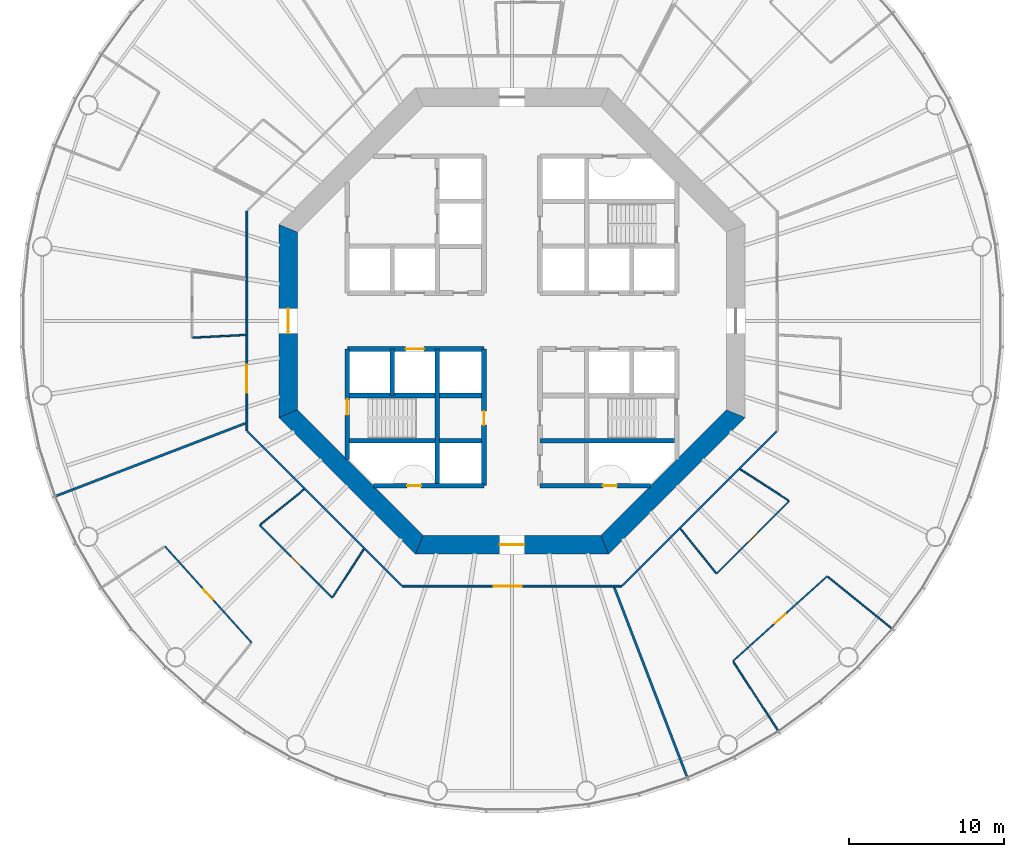
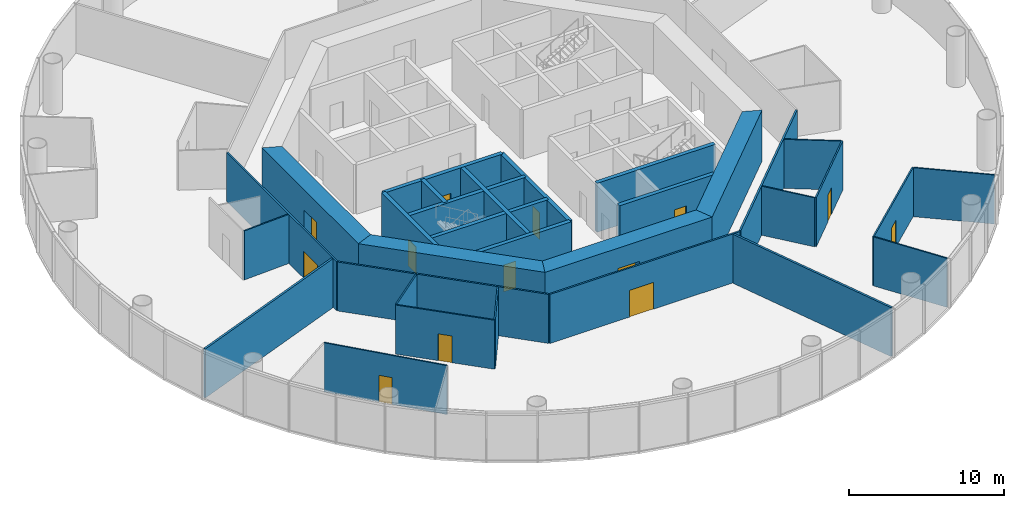
# One storey, part 3 of 13: 31 walls, 13 doors, 13 openings.
"""IFC4 building model written with IfcOpenShell, lengths in metres."""

from ifc_helpers import new_model, si_unit, direction, frame, frame_2d, origin, place, context, subcontext, project, spatial, polyline, rectangle, outline, extrude, material, layer, layer_set, type_object, element, fill, save


model = new_model("IFC4")

# Units and contexts
model_context = context("Model", 3, precision=1e-05, world=origin(), true_north=direction((0.0, 1.0)))
body_context = subcontext(model_context, "Body", "Model", "MODEL_VIEW")
ifc_project = project(units=[si_unit("LENGTHUNIT", "METRE"), si_unit("AREAUNIT", "SQUARE_METRE"), si_unit("VOLUMEUNIT", "CUBIC_METRE"), si_unit("PLANEANGLEUNIT", "RADIAN"), si_unit("MASSUNIT", "GRAM", prefix="KILO")], contexts=[model_context])

# Site, building, storey
site_placement = place(None, origin())
site = spatial("IfcSite", under=ifc_project, at=site_placement, CompositionType="ELEMENT")
building_placement = place(site_placement, origin())
building = spatial("IfcBuilding", under=site, at=building_placement, Name="Entoto Ring Tower", CompositionType="ELEMENT")
storey_placement = place(building_placement, frame((0.0, 0.0, 108.0)))
storey = spatial("IfcBuildingStorey", under=building, at=storey_placement, Name="L24", CompositionType="ELEMENT", Elevation=108.0)

# Wall, opening, door
ifc_material_1 = material(Name="Concrete C40/50", Category="concrete")
ifc_layer_1 = layer(ifc_material_1, 0.300048828125)
ifc_layer_set_1 = layer_set([ifc_layer_1], Name="Concrete C40/50")
wall_type_1 = type_object("IfcWallType", Name="Core enclosure wall 300 mm reinforced concrete", PredefinedType="SOLIDWALL", material=ifc_layer_set_1)
wall_1_placement = place(storey_placement, frame((88.199951171875, 69.39990234375, 0.0), z_axis=(0.0, 0.0, 1.0), x_axis=(0.0, 1.0, 0.0)))
wall_1 = element("IfcWall", 1, at=wall_1_placement, inside=storey, type_object=wall_type_1, Name="wall-L24-009", PredefinedType="SOLIDWALL", context=body_context, shape_type="SweptSolid", body=[
    extrude(rectangle(XDim=8.800048828125, YDim=0.300048828125, at=frame_2d((4.39990234375, 0.0))), origin(), (0.0, 0.0, 1.0), 3.85009765625),
])
opening_1_placement = place(wall_1_placement, frame((3.89990234375, 0.0, 0.0)))
opening_1 = element("IfcOpeningElement", 2, at=opening_1_placement, cuts=wall_1, Name="Opening K-14", PredefinedType="OPENING", context=body_context, shape_type="SweptSolid", body=[
    extrude(rectangle(XDim=0.89990234375, YDim=2.10009765625, at=frame_2d((0.449951171875, 1.050048828125))), frame((0.0, 0.16015625, 0.0), z_axis=(0.0, -1.0, 0.0), x_axis=(1.0, 0.0, 0.0)), (0.0, 0.0, 1.0), 0.320068359375),
])
ifc_material_2 = material(Name="Steel door leaf, fire rated", Category="steel")
ifc_layer_2 = layer(ifc_material_2, 0.050048828125)
ifc_layer_set_2 = layer_set([ifc_layer_2], Name="Steel door leaf, fire rated")
door_type_1 = type_object("IfcDoorType", Name="Core door 900 x 2100 single leaf", OperationType="NOTDEFINED", PredefinedType="DOOR", material=ifc_layer_set_2)
door_1_placement = place(opening_1_placement, origin())
door_1 = element("IfcDoor", 3, at=door_1_placement, inside=storey, type_object=door_type_1, Name="Door K-14", OperationType="SINGLE_SWING_RIGHT", OverallHeight=2.10009765625, OverallWidth=0.89990234375, PredefinedType="DOOR", context=body_context, shape_type="SweptSolid", body=[
    extrude(rectangle(XDim=0.89990234375, YDim=2.10009765625, at=frame_2d((0.449951171875, 1.050048828125))), frame((0.0, 0.02490234375, 0.0), z_axis=(0.0, -1.0, 0.0), x_axis=(1.0, 0.0, 0.0)), (0.0, 0.0, 1.0), 0.050048828125),
])
fill(opening_1, door_1)

# Walls
wall_2_placement = place(storey_placement, frame((85.199951171875, 69.39990234375, 0.0), z_axis=(0.0, 0.0, 1.0), x_axis=(0.0, 1.0, 0.0)))
element("IfcWall", 4, at=wall_2_placement, inside=storey, type_object=wall_type_1, Name="wall-L24-011", PredefinedType="SOLIDWALL", context=body_context, shape_type="SweptSolid", body=[
    extrude(rectangle(XDim=8.800048828125, YDim=0.300048828125, at=frame_2d((4.39990234375, 0.0))), origin(), (0.0, 0.0, 1.0), 3.85009765625),
])
wall_3_placement = place(storey_placement, frame((82.300048828125, 75.199951171875, 0.0), z_axis=(0.0, 0.0, 1.0), x_axis=(0.0, 1.0, 0.0)))
element("IfcWall", 5, at=wall_3_placement, inside=storey, type_object=wall_type_1, Name="wall-L24-013", PredefinedType="SOLIDWALL", context=body_context, shape_type="SweptSolid", body=[
    extrude(rectangle(XDim=3.0, YDim=0.300048828125, at=frame_2d((1.5, 0.0))), origin(), (0.0, 0.0, 1.0), 3.85009765625),
])

# Wall, opening, door
wall_4_placement = place(storey_placement, frame((79.39990234375, 71.083984375, 0.0), z_axis=(0.0, 0.0, 1.0), x_axis=(0.0, 1.0, 0.0)))
wall_4 = element("IfcWall", 6, at=wall_4_placement, inside=storey, type_object=wall_type_1, Name="wall-L24-015", PredefinedType="SOLIDWALL", context=body_context, shape_type="SweptSolid", body=[
    extrude(rectangle(XDim=7.115966796875, YDim=0.300048828125, at=frame_2d((3.55810546875, 0.0))), origin(), (0.0, 0.0, 1.0), 3.85009765625),
])
opening_2_placement = place(wall_4_placement, frame((2.8662109375, 0.0, 0.0)))
opening_2 = element("IfcOpeningElement", 7, at=opening_2_placement, cuts=wall_4, Name="Opening K-59", PredefinedType="OPENING", context=body_context, shape_type="SweptSolid", body=[
    extrude(rectangle(XDim=1.0, YDim=2.10009765625, at=frame_2d((0.5, 1.050048828125))), frame((0.0, 0.16015625, 0.0), z_axis=(0.0, -1.0, 0.0), x_axis=(1.0, 0.0, 0.0)), (0.0, 0.0, 1.0), 0.320068359375),
])
ifc_material_3 = material(Name="Steel door leaf, fire rated", Category="steel")
ifc_layer_3 = layer(ifc_material_3, 0.050048828125)
ifc_layer_set_3 = layer_set([ifc_layer_3], Name="Steel door leaf, fire rated")
door_type_2 = type_object("IfcDoorType", Name="Fire door FD60 1000 x 2100 single leaf", OperationType="NOTDEFINED", PredefinedType="DOOR", material=ifc_layer_set_3)
door_2_placement = place(opening_2_placement, frame((1.0, 0.0, 0.0), z_axis=(0.0, 0.0, 1.0), x_axis=(-1.0, 0.0, 0.0)))
door_2 = element("IfcDoor", 8, at=door_2_placement, inside=storey, type_object=door_type_2, Name="Door K-59", OperationType="SINGLE_SWING_LEFT", OverallHeight=2.10009765625, OverallWidth=1.0, PredefinedType="DOOR", context=body_context, shape_type="SweptSolid", body=[
    extrude(rectangle(XDim=1.0, YDim=2.10009765625, at=frame_2d((0.5, 1.050048828125))), frame((0.0, 0.02490234375, 0.0), z_axis=(0.0, -1.0, 0.0), x_axis=(1.0, 0.0, 0.0)), (0.0, 0.0, 1.0), 0.050048828125),
])
fill(opening_2, door_2)

wall_5_placement = place(storey_placement, frame((81.083984375, 69.39990234375, 0.0), z_axis=(0.0, 0.0, 1.0), x_axis=(1.0, 0.0, 0.0)))
wall_5 = element("IfcWall", 9, at=wall_5_placement, inside=storey, type_object=wall_type_1, Name="wall-L24-017", PredefinedType="SOLIDWALL", context=body_context, shape_type="SweptSolid", body=[
    extrude(rectangle(XDim=7.115966796875, YDim=0.300048828125, at=frame_2d((3.55810546875, 0.0))), origin(), (0.0, 0.0, 1.0), 3.85009765625),
])
opening_3_placement = place(wall_5_placement, frame((2.166015625, 0.0, 0.0)))
opening_3 = element("IfcOpeningElement", 10, at=opening_3_placement, cuts=wall_5, Name="Opening K-66", PredefinedType="OPENING", context=body_context, shape_type="SweptSolid", body=[
    extrude(rectangle(XDim=0.89990234375, YDim=2.10009765625, at=frame_2d((0.449951171875, 1.050048828125))), frame((0.0, 0.16015625, 0.0), z_axis=(0.0, -1.0, 0.0), x_axis=(1.0, 0.0, 0.0)), (0.0, 0.0, 1.0), 0.320068359375),
])
ifc_material_4 = material(Name="Steel door leaf, fire rated", Category="steel")
ifc_layer_4 = layer(ifc_material_4, 0.050048828125)
ifc_layer_set_4 = layer_set([ifc_layer_4], Name="Steel door leaf, fire rated")
door_type_3 = type_object("IfcDoorType", Name="Riser door FD60 900 x 2100 single leaf", OperationType="NOTDEFINED", PredefinedType="DOOR", material=ifc_layer_set_4)
door_3_placement = place(opening_3_placement, origin())
door_3 = element("IfcDoor", 11, at=door_3_placement, inside=storey, type_object=door_type_3, Name="Door K-66", OperationType="SINGLE_SWING_RIGHT", OverallHeight=2.10009765625, OverallWidth=0.89990234375, PredefinedType="DOOR", context=body_context, shape_type="SweptSolid", body=[
    extrude(rectangle(XDim=0.89990234375, YDim=2.10009765625, at=frame_2d((0.449951171875, 1.050048828125))), frame((0.0, 0.02490234375, 0.0), z_axis=(0.0, -1.0, 0.0), x_axis=(1.0, 0.0, 0.0)), (0.0, 0.0, 1.0), 0.050048828125),
])
fill(opening_3, door_3)

wall_6_placement = place(storey_placement, frame((91.800048828125, 69.39990234375, 0.0), z_axis=(0.0, 0.0, 1.0), x_axis=(1.0, 0.0, 0.0)))
wall_6 = element("IfcWall", 12, at=wall_6_placement, inside=storey, type_object=wall_type_1, Name="wall-L24-018", PredefinedType="SOLIDWALL", context=body_context, shape_type="SweptSolid", body=[
    extrude(rectangle(XDim=7.115966796875, YDim=0.300048828125, at=frame_2d((3.55810546875, 0.0))), origin(), (0.0, 0.0, 1.0), 3.85009765625),
])
opening_4_placement = place(wall_6_placement, frame((4.050048828125, 0.0, 0.0)))
opening_4 = element("IfcOpeningElement", 13, at=opening_4_placement, cuts=wall_6, Name="Opening K-68", PredefinedType="OPENING", context=body_context, shape_type="SweptSolid", body=[
    extrude(rectangle(XDim=0.89990234375, YDim=2.10009765625, at=frame_2d((0.449951171875, 1.050048828125))), frame((0.0, 0.16015625, 0.0), z_axis=(0.0, -1.0, 0.0), x_axis=(1.0, 0.0, 0.0)), (0.0, 0.0, 1.0), 0.320068359375),
])
door_4_placement = place(opening_4_placement, origin())
door_4 = element("IfcDoor", 14, at=door_4_placement, inside=storey, type_object=door_type_3, Name="Door K-68", OperationType="SINGLE_SWING_LEFT", OverallHeight=2.10009765625, OverallWidth=0.89990234375, PredefinedType="DOOR", context=body_context, shape_type="SweptSolid", body=[
    extrude(rectangle(XDim=0.89990234375, YDim=2.10009765625, at=frame_2d((0.449951171875, 1.050048828125))), frame((0.0, 0.02490234375, 0.0), z_axis=(0.0, -1.0, 0.0), x_axis=(1.0, 0.0, 0.0)), (0.0, 0.0, 1.0), 0.050048828125),
])
fill(opening_4, door_4)

# Walls
for number, where, z_axis, x_axis, name in (
    (15, (79.39990234375, 72.300048828125, 0.0), (0.0, 0.0, 1.0), (1.0, 0.0, 0.0), "wall-L24-019"),
    (16, (91.800048828125, 72.300048828125, 0.0), (0.0, 0.0, 1.0), (1.0, 0.0, 0.0), "wall-L24-020"),
    (17, (79.39990234375, 75.199951171875, 0.0), (0.0, 0.0, 1.0), (1.0, 0.0, 0.0), "wall-L24-021"),
):
    element("IfcWall", number, at=place(storey_placement, frame(where, z_axis=z_axis, x_axis=x_axis)), inside=storey, type_object=wall_type_1, Name=name, PredefinedType="SOLIDWALL", context=body_context, shape_type="SweptSolid", body=[
        extrude(rectangle(XDim=8.800048828125, YDim=0.300048828125, at=frame_2d((4.39990234375, 0.0))), origin(), (0.0, 0.0, 1.0), 3.85009765625),
    ])

# Wall, opening, door
wall_7_placement = place(storey_placement, frame((79.39990234375, 78.199951171875, 0.0), z_axis=(0.0, 0.0, 1.0), x_axis=(1.0, 0.0, 0.0)))
wall_7 = element("IfcWall", 18, at=wall_7_placement, inside=storey, type_object=wall_type_1, Name="wall-L24-023", PredefinedType="SOLIDWALL", context=body_context, shape_type="SweptSolid", body=[
    extrude(rectangle(XDim=8.800048828125, YDim=0.300048828125, at=frame_2d((4.39990234375, 0.0))), origin(), (0.0, 0.0, 1.0), 3.85009765625),
])
opening_5_placement = place(wall_7_placement, frame((3.75, 0.0, 0.0)))
opening_5 = element("IfcOpeningElement", 19, at=opening_5_placement, cuts=wall_7, Name="Opening LD", PredefinedType="OPENING", context=body_context, shape_type="SweptSolid", body=[
    extrude(rectangle(XDim=1.199951171875, YDim=2.10009765625, at=frame_2d((0.60009765625, 1.050048828125))), frame((0.0, 0.16015625, 0.0), z_axis=(0.0, -1.0, 0.0), x_axis=(1.0, 0.0, 0.0)), (0.0, 0.0, 1.0), 0.320068359375),
])
ifc_material_5 = material(Name="Steel and glass door leaf", Category="steel")
ifc_layer_5 = layer(ifc_material_5, 0.050048828125)
ifc_layer_set_5 = layer_set([ifc_layer_5], Name="Steel and glass door leaf")
door_type_4 = type_object("IfcDoorType", Name="Landing door 1200 x 2100 sliding", OperationType="DOUBLE_DOOR_SLIDING", PredefinedType="DOOR", material=ifc_layer_set_5)
door_5_placement = place(opening_5_placement, origin())
door_5 = element("IfcDoor", 20, at=door_5_placement, inside=storey, type_object=door_type_4, Name="Landing door LB6-LR", OperationType="SLIDING_TO_RIGHT", OverallHeight=2.10009765625, OverallWidth=1.199951171875, PredefinedType="DOOR", context=body_context, shape_type="SweptSolid", body=[
    extrude(rectangle(XDim=1.199951171875, YDim=2.10009765625, at=frame_2d((0.60009765625, 1.050048828125))), frame((0.0, 0.02490234375, 0.0), z_axis=(0.0, -1.0, 0.0), x_axis=(1.0, 0.0, 0.0)), (0.0, 0.0, 1.0), 0.050048828125),
])
fill(opening_5, door_5)

ifc_material_6 = material(Name="Concrete C60/75", Category="concrete")
ifc_layer_6 = layer(ifc_material_6, 1.199951171875)
ifc_layer_set_6 = layer_set([ifc_layer_6], Name="Concrete C60/75")
wall_type_2 = type_object("IfcWallType", Name="Core shear wall 1200 mm reinforced concrete C60/75", PredefinedType="SHEAR", material=ifc_layer_set_6)
wall_8_placement = place(storey_placement, frame((75.60009765625, 85.964599609375, 0.0), z_axis=(0.0, 0.0, 1.0), x_axis=(0.0, -1.0, 0.0)))
wall_8 = element("IfcWall", 21, at=wall_8_placement, inside=storey, type_object=wall_type_2, Name="wall-L24-core-4", PredefinedType="SHEAR", context=body_context, shape_type="SweptSolid", body=[
    extrude(outline(polyline([(-0.24853515625, -0.60009765625), (12.177734375, -0.60009765625), (11.6806640625, 0.60009765625), (0.24853515625, 0.60009765625), (-0.24853515625, -0.60009765625)])), origin(), (0.0, 0.0, 1.0), 4.0),
])
opening_6_placement = place(wall_8_placement, frame((5.164794921875, 0.0, 0.0)))
opening_6 = element("IfcOpeningElement", 22, at=opening_6_placement, cuts=wall_8, Name="Opening K-03", PredefinedType="OPENING", context=body_context, shape_type="SweptSolid", body=[
    extrude(rectangle(XDim=1.60009765625, YDim=2.39990234375, at=frame_2d((0.800048828125, 1.199951171875))), frame((0.0, 0.60986328125, 0.0), z_axis=(0.0, -1.0, 0.0), x_axis=(1.0, 0.0, 0.0)), (0.0, 0.0, 1.0), 1.219970703125),
])
ifc_material_7 = material(Name="Steel door leaf, fire rated", Category="steel")
ifc_layer_7 = layer(ifc_material_7, 0.050048828125)
ifc_layer_set_7 = layer_set([ifc_layer_7], Name="Steel door leaf, fire rated")
door_type_5 = type_object("IfcDoorType", Name="Entrance door FD60 1600 x 2400 double leaf", OperationType="DOUBLE_DOOR_SINGLE_SWING", PredefinedType="DOOR", material=ifc_layer_set_7)
door_6_placement = place(opening_6_placement, origin())
door_6 = element("IfcDoor", 23, at=door_6_placement, inside=storey, type_object=door_type_5, Name="Entrance door K-03", OperationType="DOUBLE_DOOR_SINGLE_SWING", OverallHeight=2.39990234375, OverallWidth=1.60009765625, PredefinedType="DOOR", context=body_context, shape_type="SweptSolid", body=[
    extrude(rectangle(XDim=1.60009765625, YDim=2.39990234375, at=frame_2d((0.800048828125, 1.199951171875))), frame((0.0, 0.02490234375, 0.0), z_axis=(0.0, -1.0, 0.0), x_axis=(1.0, 0.0, 0.0)), (0.0, 0.0, 1.0), 0.050048828125),
])
fill(opening_6, door_6)

# Wall
wall_9_placement = place(storey_placement, frame((75.60009765625, 74.035400390625, 0.0), z_axis=(0.0, 0.0, 1.0), x_axis=(0.707106781187, -0.707106781187, 0.0)))
element("IfcWall", 24, at=wall_9_placement, inside=storey, type_object=wall_type_2, Name="wall-L24-core-5", PredefinedType="SHEAR", context=body_context, shape_type="SweptSolid", body=[
    extrude(outline(polyline([(-0.24853515625, -0.60009765625), (12.177734375, -0.60009765625), (11.6806640625, 0.60009765625), (0.24853515625, 0.60009765625), (-0.24853515625, -0.60009765625)])), origin(), (0.0, 0.0, 1.0), 4.0),
])

# Wall, opening, door
wall_10_placement = place(storey_placement, frame((84.035400390625, 65.60009765625, 0.0), z_axis=(0.0, 0.0, 1.0), x_axis=(1.0, 0.0, 0.0)))
wall_10 = element("IfcWall", 25, at=wall_10_placement, inside=storey, type_object=wall_type_2, Name="wall-L24-core-6", PredefinedType="SHEAR", context=body_context, shape_type="SweptSolid", body=[
    extrude(outline(polyline([(-0.24853515625, -0.60009765625), (12.177734375, -0.60009765625), (11.6806640625, 0.60009765625), (0.24853515625, 0.60009765625), (-0.24853515625, -0.60009765625)])), origin(), (0.0, 0.0, 1.0), 4.0),
])
opening_7_placement = place(wall_10_placement, frame((5.164794921875, 0.0, 0.0)))
opening_7 = element("IfcOpeningElement", 26, at=opening_7_placement, cuts=wall_10, Name="Opening K-04", PredefinedType="OPENING", context=body_context, shape_type="SweptSolid", body=[
    extrude(rectangle(XDim=1.60009765625, YDim=2.39990234375, at=frame_2d((0.800048828125, 1.199951171875))), frame((0.0, 0.60986328125, 0.0), z_axis=(0.0, -1.0, 0.0), x_axis=(1.0, 0.0, 0.0)), (0.0, 0.0, 1.0), 1.219970703125),
])
door_7_placement = place(opening_7_placement, origin())
door_7 = element("IfcDoor", 27, at=door_7_placement, inside=storey, type_object=door_type_5, Name="Entrance door K-04", OperationType="DOUBLE_DOOR_SINGLE_SWING", OverallHeight=2.39990234375, OverallWidth=1.60009765625, PredefinedType="DOOR", context=body_context, shape_type="SweptSolid", body=[
    extrude(rectangle(XDim=1.60009765625, YDim=2.39990234375, at=frame_2d((0.800048828125, 1.199951171875))), frame((0.0, 0.02490234375, 0.0), z_axis=(0.0, -1.0, 0.0), x_axis=(1.0, 0.0, 0.0)), (0.0, 0.0, 1.0), 0.050048828125),
])
fill(opening_7, door_7)

# Wall
wall_11_placement = place(storey_placement, frame((95.964599609375, 65.60009765625, 0.0), z_axis=(0.0, 0.0, 1.0), x_axis=(0.707106781187, 0.707106781187, 0.0)))
element("IfcWall", 28, at=wall_11_placement, inside=storey, type_object=wall_type_2, Name="wall-L24-core-7", PredefinedType="SHEAR", context=body_context, shape_type="SweptSolid", body=[
    extrude(outline(polyline([(-0.24853515625, -0.60009765625), (12.177734375, -0.60009765625), (11.6806640625, 0.60009765625), (0.24853515625, 0.60009765625), (-0.24853515625, -0.60009765625)])), origin(), (0.0, 0.0, 1.0), 4.0),
])

# Wall, opening, door
ifc_material_8 = material(Name="Fire-resisting plasterboard on steel studs", Category="steel")
ifc_layer_8 = layer(ifc_material_8, 0.125)
ifc_layer_set_8 = layer_set([ifc_layer_8], Name="Fire-resisting plasterboard on steel studs")
wall_type_3 = type_object("IfcWallType", Name="Corridor wall 125 mm one-hour plasterboard on steel studs", PredefinedType="PARTITIONING", material=ifc_layer_set_8)
wall_12_placement = place(storey_placement, frame((72.9375, 72.9326171875, 0.0), z_axis=(0.0, 0.0, 1.0), x_axis=(0.0, 1.0, 0.0)))
wall_12 = element("IfcWall", 29, at=wall_12_placement, inside=storey, type_object=wall_type_3, Name="partition-L24-001", PredefinedType="PARTITIONING", context=body_context, shape_type="SweptSolid", body=[
    extrude(rectangle(XDim=14.134765625, YDim=0.125, at=frame_2d((7.0673828125, 0.0))), origin(), (0.0, 0.0, 1.0), 3.85009765625),
])
opening_8_placement = place(wall_12_placement, frame((2.445556640625, 0.0, 0.0)))
opening_8 = element("IfcOpeningElement", 30, at=opening_8_placement, cuts=wall_12, Name="Opening A10-D05", PredefinedType="OPENING", context=body_context, shape_type="SweptSolid", body=[
    extrude(rectangle(XDim=1.800048828125, YDim=2.10009765625, at=frame_2d((0.89990234375, 1.050048828125))), frame((0.0, 0.072509765625, 0.0), z_axis=(0.0, -1.0, 0.0), x_axis=(1.0, 0.0, 0.0)), (0.0, 0.0, 1.0), 0.14501953125),
])
ifc_material_9 = material(Name="Fire-resisting timber door set", Category="wood")
door_type_6 = type_object("IfcDoorType", Name="Door 1800 x 2100 double leaf FD30S fire door", OperationType="DOUBLE_DOOR_SINGLE_SWING", PredefinedType="DOOR", material=ifc_material_9)
door_8_placement = place(opening_8_placement, origin())
door_8 = element("IfcDoor", 31, at=door_8_placement, inside=storey, type_object=door_type_6, Name="Door A10-D05", OperationType="DOUBLE_DOOR_SINGLE_SWING", OverallHeight=2.10009765625, OverallWidth=1.800048828125, PredefinedType="DOOR", context=body_context, shape_type="SweptSolid", body=[
    extrude(rectangle(XDim=1.800048828125, YDim=2.10009765625, at=frame_2d((0.89990234375, 1.050048828125))), frame((0.0, 0.02490234375, 0.0), z_axis=(0.0, -1.0, 0.0), x_axis=(1.0, 0.0, 0.0)), (0.0, 0.0, 1.0), 0.050048828125),
])
fill(opening_8, door_8)

wall_13_placement = place(storey_placement, frame((82.9326171875, 62.9375, 0.0), z_axis=(0.0, 0.0, 1.0), x_axis=(1.0, 0.0, 0.0)))
wall_13 = element("IfcWall", 32, at=wall_13_placement, inside=storey, type_object=wall_type_3, Name="partition-L24-002", PredefinedType="PARTITIONING", context=body_context, shape_type="SweptSolid", body=[
    extrude(rectangle(XDim=14.134765625, YDim=0.125, at=frame_2d((7.0673828125, 0.0))), origin(), (0.0, 0.0, 1.0), 3.85009765625),
])
opening_9_placement = place(wall_13_placement, frame((5.90869140625, 0.0, 0.0)))
opening_9 = element("IfcOpeningElement", 33, at=opening_9_placement, cuts=wall_13, Name="Opening A10-D09", PredefinedType="OPENING", context=body_context, shape_type="SweptSolid", body=[
    extrude(rectangle(XDim=1.800048828125, YDim=2.10009765625, at=frame_2d((0.89990234375, 1.050048828125))), frame((0.0, 0.072509765625, 0.0), z_axis=(0.0, -1.0, 0.0), x_axis=(1.0, 0.0, 0.0)), (0.0, 0.0, 1.0), 0.14501953125),
])
door_9_placement = place(opening_9_placement, frame((1.800048828125, 0.0, 0.0), z_axis=(0.0, 0.0, 1.0), x_axis=(-1.0, 0.0, 0.0)))
door_9 = element("IfcDoor", 34, at=door_9_placement, inside=storey, type_object=door_type_6, Name="Door A10-D09", OperationType="DOUBLE_DOOR_SINGLE_SWING", OverallHeight=2.10009765625, OverallWidth=1.800048828125, PredefinedType="DOOR", context=body_context, shape_type="SweptSolid", body=[
    extrude(rectangle(XDim=1.800048828125, YDim=2.10009765625, at=frame_2d((0.89990234375, 1.050048828125))), frame((0.0, 0.02490234375, 0.0), z_axis=(0.0, -1.0, 0.0), x_axis=(1.0, 0.0, 0.0)), (0.0, 0.0, 1.0), 0.050048828125),
])
fill(opening_9, door_9)

# Walls
for number, where, z_axis, x_axis, name in (
    (35, (82.9013671875, 62.968505859375, 0.0), (0.0, 0.0, 1.0), (-0.707106781187, 0.707106781187, 0.0), "partition-L24-006"),
    (36, (97.0986328125, 62.968505859375, 0.0), (0.0, 0.0, 1.0), (0.707106781187, 0.707106781187, 0.0), "partition-L24-007"),
):
    element("IfcWall", number, at=place(storey_placement, frame(where, z_axis=z_axis, x_axis=x_axis)), inside=storey, type_object=wall_type_3, Name=name, PredefinedType="PARTITIONING", context=body_context, shape_type="SweptSolid", body=[
        extrude(rectangle(XDim=14.047119140625, YDim=0.125, at=frame_2d((7.0234375, 0.0))), origin(), (0.0, 0.0, 1.0), 3.85009765625),
    ])

# Wall, opening, door
ifc_material_10 = material(Name="Plasterboard on steel studs", Category="steel")
ifc_layer_9 = layer(ifc_material_10, 0.10009765625)
ifc_layer_set_9 = layer_set([ifc_layer_9], Name="Plasterboard on steel studs")
wall_type_4 = type_object("IfcWallType", Name="Partition 100 mm plasterboard on steel studs", PredefinedType="PARTITIONING", material=ifc_layer_set_9)
wall_14_placement = place(storey_placement, frame((73.2412109375, 59.3046875, 0.0), z_axis=(0.0, 0.0, 1.0), x_axis=(-0.669128228002, 0.743146966953, 0.0)))
wall_14 = element("IfcWall", 37, at=wall_14_placement, inside=storey, type_object=wall_type_4, Name="partition-L24-013", PredefinedType="PARTITIONING", context=body_context, shape_type="SweptSolid", body=[
    extrude(rectangle(XDim=8.33154296875, YDim=0.10009765625, at=frame_2d((4.165771484375, 0.0))), origin(), (0.0, 0.0, 1.0), 3.85009765625),
])
opening_10_placement = place(wall_14_placement, frame((3.7158203125, 0.0, 0.0)))
opening_10 = element("IfcOpeningElement", 38, at=opening_10_placement, cuts=wall_14, Name="Opening A10-D11", PredefinedType="OPENING", context=body_context, shape_type="SweptSolid", body=[
    extrude(rectangle(XDim=0.89990234375, YDim=2.10009765625, at=frame_2d((0.449951171875, 1.050048828125))), frame((0.0, 0.06005859375, 0.0), z_axis=(0.0, -1.0, 0.0), x_axis=(1.0, 0.0, 0.0)), (0.0, 0.0, 1.0), 0.1201171875),
])
ifc_material_11 = material(Name="Veneered timber door leaf in timber frame", Category="wood")
door_type_7 = type_object("IfcDoorType", Name="Door 900 x 2100 single leaf timber veneer", OperationType="NOTDEFINED", PredefinedType="DOOR", material=ifc_material_11)
door_10_placement = place(opening_10_placement, origin())
door_10 = element("IfcDoor", 39, at=door_10_placement, inside=storey, type_object=door_type_7, Name="Door A10-D11", OperationType="SINGLE_SWING_LEFT", OverallHeight=2.10009765625, OverallWidth=0.89990234375, PredefinedType="DOOR", context=body_context, shape_type="SweptSolid", body=[
    extrude(rectangle(XDim=0.89990234375, YDim=2.10009765625, at=frame_2d((0.449951171875, 1.050048828125))), frame((0.0, 0.02490234375, 0.0), z_axis=(0.0, -1.0, 0.0), x_axis=(1.0, 0.0, 0.0)), (0.0, 0.0, 1.0), 0.050048828125),
])
fill(opening_10, door_10)

wall_15_placement = place(storey_placement, frame((104.215087890625, 58.110595703125, 0.0), z_axis=(0.0, 0.0, 1.0), x_axis=(0.743136543418, 0.669139804403, 0.0)))
wall_15 = element("IfcWall", 40, at=wall_15_placement, inside=storey, type_object=wall_type_4, Name="partition-L24-014", PredefinedType="PARTITIONING", context=body_context, shape_type="SweptSolid", body=[
    extrude(rectangle(XDim=8.165771484375, YDim=0.10009765625, at=frame_2d((4.0830078125, 0.0))), origin(), (0.0, 0.0, 1.0), 3.85009765625),
])
opening_11_placement = place(wall_15_placement, frame((3.6328125, 0.0, 0.0)))
opening_11 = element("IfcOpeningElement", 41, at=opening_11_placement, cuts=wall_15, Name="Opening A10-D15", PredefinedType="OPENING", context=body_context, shape_type="SweptSolid", body=[
    extrude(rectangle(XDim=0.89990234375, YDim=2.10009765625, at=frame_2d((0.449951171875, 1.050048828125))), frame((0.0, 0.06005859375, 0.0), z_axis=(0.0, -1.0, 0.0), x_axis=(1.0, 0.0, 0.0)), (0.0, 0.0, 1.0), 0.1201171875),
])
door_11_placement = place(opening_11_placement, frame((0.89990234375, 0.0, 0.0), z_axis=(0.0, 0.0, 1.0), x_axis=(-1.0, 0.0, 0.0)))
door_11 = element("IfcDoor", 42, at=door_11_placement, inside=storey, type_object=door_type_7, Name="Door A10-D15", OperationType="SINGLE_SWING_RIGHT", OverallHeight=2.10009765625, OverallWidth=0.89990234375, PredefinedType="DOOR", context=body_context, shape_type="SweptSolid", body=[
    extrude(rectangle(XDim=0.89990234375, YDim=2.10009765625, at=frame_2d((0.449951171875, 1.050048828125))), frame((0.0, 0.02490234375, 0.0), z_axis=(0.0, -1.0, 0.0), x_axis=(1.0, 0.0, 0.0)), (0.0, 0.0, 1.0), 0.050048828125),
])
fill(opening_11, door_11)

wall_16_placement = place(storey_placement, frame((103.169921875, 63.736572265625, 0.0), z_axis=(0.0, 0.0, 1.0), x_axis=(0.707088317181, 0.70712524471, 0.0)))
wall_16 = element("IfcWall", 43, at=wall_16_placement, inside=storey, type_object=wall_type_4, Name="partition-L24-016", PredefinedType="PARTITIONING", context=body_context, shape_type="SweptSolid", body=[
    extrude(rectangle(XDim=6.611328125, YDim=0.10009765625, at=frame_2d((3.3056640625, 0.0))), origin(), (0.0, 0.0, 1.0), 3.85009765625),
])
opening_12_placement = place(wall_16_placement, frame((2.855712890625, 0.0, 0.0)))
opening_12 = element("IfcOpeningElement", 44, at=opening_12_placement, cuts=wall_16, Name="Opening A10-D13", PredefinedType="OPENING", context=body_context, shape_type="SweptSolid", body=[
    extrude(rectangle(XDim=0.89990234375, YDim=2.10009765625, at=frame_2d((0.449951171875, 1.050048828125))), frame((0.0, 0.06005859375, 0.0), z_axis=(0.0, -1.0, 0.0), x_axis=(1.0, 0.0, 0.0)), (0.0, 0.0, 1.0), 0.1201171875),
])
door_12_placement = place(opening_12_placement, origin())
door_12 = element("IfcDoor", 45, at=door_12_placement, inside=storey, type_object=door_type_7, Name="Door A10-D13", OperationType="SINGLE_SWING_RIGHT", OverallHeight=2.10009765625, OverallWidth=0.89990234375, PredefinedType="DOOR", context=body_context, shape_type="SweptSolid", body=[
    extrude(rectangle(XDim=0.89990234375, YDim=2.10009765625, at=frame_2d((0.449951171875, 1.050048828125))), frame((0.0, 0.02490234375, 0.0), z_axis=(0.0, -1.0, 0.0), x_axis=(1.0, 0.0, 0.0)), (0.0, 0.0, 1.0), 0.050048828125),
])
fill(opening_12, door_12)

wall_17_placement = place(storey_placement, frame((78.43359375, 62.189453125, 0.0), z_axis=(0.0, 0.0, 1.0), x_axis=(-0.707088281434, 0.707125280455, 0.0)))
wall_17 = element("IfcWall", 46, at=wall_17_placement, inside=storey, type_object=wall_type_4, Name="partition-L24-017", PredefinedType="PARTITIONING", context=body_context, shape_type="SweptSolid", body=[
    extrude(rectangle(XDim=6.5986328125, YDim=0.10009765625, at=frame_2d((3.29931640625, 0.0))), origin(), (0.0, 0.0, 1.0), 3.85009765625),
])
opening_13_placement = place(wall_17_placement, frame((2.849365234375, 0.0, 0.0)))
opening_13 = element("IfcOpeningElement", 47, at=opening_13_placement, cuts=wall_17, Name="Opening A10-D10", PredefinedType="OPENING", context=body_context, shape_type="SweptSolid", body=[
    extrude(rectangle(XDim=0.89990234375, YDim=2.10009765625, at=frame_2d((0.449951171875, 1.050048828125))), frame((0.0, 0.06005859375, 0.0), z_axis=(0.0, -1.0, 0.0), x_axis=(1.0, 0.0, 0.0)), (0.0, 0.0, 1.0), 0.1201171875),
])
door_13_placement = place(opening_13_placement, frame((0.89990234375, 0.0, 0.0), z_axis=(0.0, 0.0, 1.0), x_axis=(-1.0, 0.0, 0.0)))
door_13 = element("IfcDoor", 48, at=door_13_placement, inside=storey, type_object=door_type_7, Name="Door A10-D10", OperationType="SINGLE_SWING_RIGHT", OverallHeight=2.10009765625, OverallWidth=0.89990234375, PredefinedType="DOOR", context=body_context, shape_type="SweptSolid", body=[
    extrude(rectangle(XDim=0.89990234375, YDim=2.10009765625, at=frame_2d((0.449951171875, 1.050048828125))), frame((0.0, 0.02490234375, 0.0), z_axis=(0.0, -1.0, 0.0), x_axis=(1.0, 0.0, 0.0)), (0.0, 0.0, 1.0), 0.050048828125),
])
fill(opening_13, door_13)

# Walls
for number, where, z_axis, x_axis, name in (
    (49, (107.12353515625, 53.632080078125, 0.0), (0.0, 0.0, 1.0), (-0.544639586566, 0.838670209764, 0.0), "partition-L24-020"),
    (50, (114.43359375, 60.214111328125, 0.0), (0.0, 0.0, 1.0), (-0.777154597768, 0.629309725945, 0.0), "partition-L24-021"),
):
    element("IfcWall", number, at=place(storey_placement, frame(where, z_axis=z_axis, x_axis=x_axis)), inside=storey, type_object=wall_type_4, Name=name, PredefinedType="PARTITIONING", context=body_context, shape_type="SweptSolid", body=[
        extrude(rectangle(XDim=5.290771484375, YDim=0.10009765625, at=frame_2d((2.6455078125, 0.0))), origin(), (0.0, 0.0, 1.0), 3.85009765625),
    ])
wall_18_placement = place(storey_placement, frame((107.793212890625, 68.445068359375, 0.0), z_axis=(0.0, 0.0, 1.0), x_axis=(-0.838683374187, 0.544619314624, 0.0)))
element("IfcWall", 51, at=wall_18_placement, inside=storey, type_object=wall_type_4, Name="partition-L24-036", PredefinedType="PARTITIONING", context=body_context, shape_type="SweptSolid", body=[
    extrude(rectangle(XDim=3.69775390625, YDim=0.10009765625, at=frame_2d((1.848876953125, 0.0))), origin(), (0.0, 0.0, 1.0), 3.85009765625),
])
wall_19_placement = place(storey_placement, frame((78.46728515625, 62.2412109375, 0.0), z_axis=(0.0, 0.0, 1.0), x_axis=(0.544645694367, 0.838666243274, 0.0)))
element("IfcWall", 52, at=wall_19_placement, inside=storey, type_object=wall_type_4, Name="partition-L24-037", PredefinedType="PARTITIONING", context=body_context, shape_type="SweptSolid", body=[
    extrude(rectangle(XDim=3.656982421875, YDim=0.10009765625, at=frame_2d((1.82861328125, 0.0))), origin(), (0.0, 0.0, 1.0), 3.85009765625),
])
wall_20_placement = place(storey_placement, frame((103.135009765625, 63.77978515625, 0.0), z_axis=(0.0, 0.0, 1.0), x_axis=(-0.62932917084, 0.777138851641, 0.0)))
element("IfcWall", 53, at=wall_20_placement, inside=storey, type_object=wall_type_4, Name="partition-L24-038", PredefinedType="PARTITIONING", context=body_context, shape_type="SweptSolid", body=[
    extrude(rectangle(XDim=3.64697265625, YDim=0.10009765625, at=frame_2d((1.823486328125, 0.0))), origin(), (0.0, 0.0, 1.0), 3.85009765625),
])
wall_21_placement = place(storey_placement, frame((73.810791015625, 66.890380859375, 0.0), z_axis=(0.0, 0.0, 1.0), x_axis=(0.777177086916, 0.629281952365, 0.0)))
element("IfcWall", 54, at=wall_21_placement, inside=storey, type_object=wall_type_4, Name="partition-L24-039", PredefinedType="PARTITIONING", context=body_context, shape_type="SweptSolid", body=[
    extrude(rectangle(XDim=3.60693359375, YDim=0.10009765625, at=frame_2d((1.803466796875, 0.0))), origin(), (0.0, 0.0, 1.0), 3.85009765625),
])
wall_22_placement = place(storey_placement, frame((69.47021484375, 78.924072265625, 0.0), z_axis=(0.0, 0.0, 1.0), x_axis=(0.998630667157, 0.052314344243, 0.0)))
element("IfcWall", 55, at=wall_22_placement, inside=storey, type_object=wall_type_4, Name="partition-L24-042", PredefinedType="PARTITIONING", context=body_context, shape_type="SweptSolid", body=[
    extrude(rectangle(XDim=3.40673828125, YDim=0.10009765625, at=frame_2d((1.703369140625, 0.0))), origin(), (0.0, 0.0, 1.0), 3.85009765625),
])
ifc_material_12 = material(Name="Fire-resisting acoustic plasterboard on steel studs", Category="steel")
ifc_layer_10 = layer(ifc_material_12, 0.14990234375)
ifc_layer_set_10 = layer_set([ifc_layer_10], Name="Fire-resisting acoustic plasterboard on steel studs")
wall_type_5 = type_object("IfcWallType", Name="Party wall 150 mm one-hour acoustic plasterboard on steel studs", PredefinedType="PARTITIONING", material=ifc_layer_set_10)
for number, where, z_axis, x_axis, name in (
    (56, (60.648193359375, 68.73291015625, 0.0), (0.0, 0.0, 1.0), (0.933583261388, 0.358360564315, 0.0), "partition-L24-010"),
    (57, (101.26708984375, 50.648193359375, 0.0), (0.0, 0.0, 1.0), (-0.358360564315, 0.933583261388, 0.0), "partition-L24-011"),
):
    element("IfcWall", number, at=place(storey_placement, frame(where, z_axis=z_axis, x_axis=x_axis)), inside=storey, type_object=wall_type_5, Name=name, PredefinedType="PARTITIONING", context=body_context, shape_type="SweptSolid", body=[
        extrude(rectangle(XDim=13.068115234375, YDim=0.14990234375, at=frame_2d((6.5341796875, 0.0))), origin(), (0.0, 0.0, 1.0), 3.85009765625),
    ])

save(model, "model.ifc")
